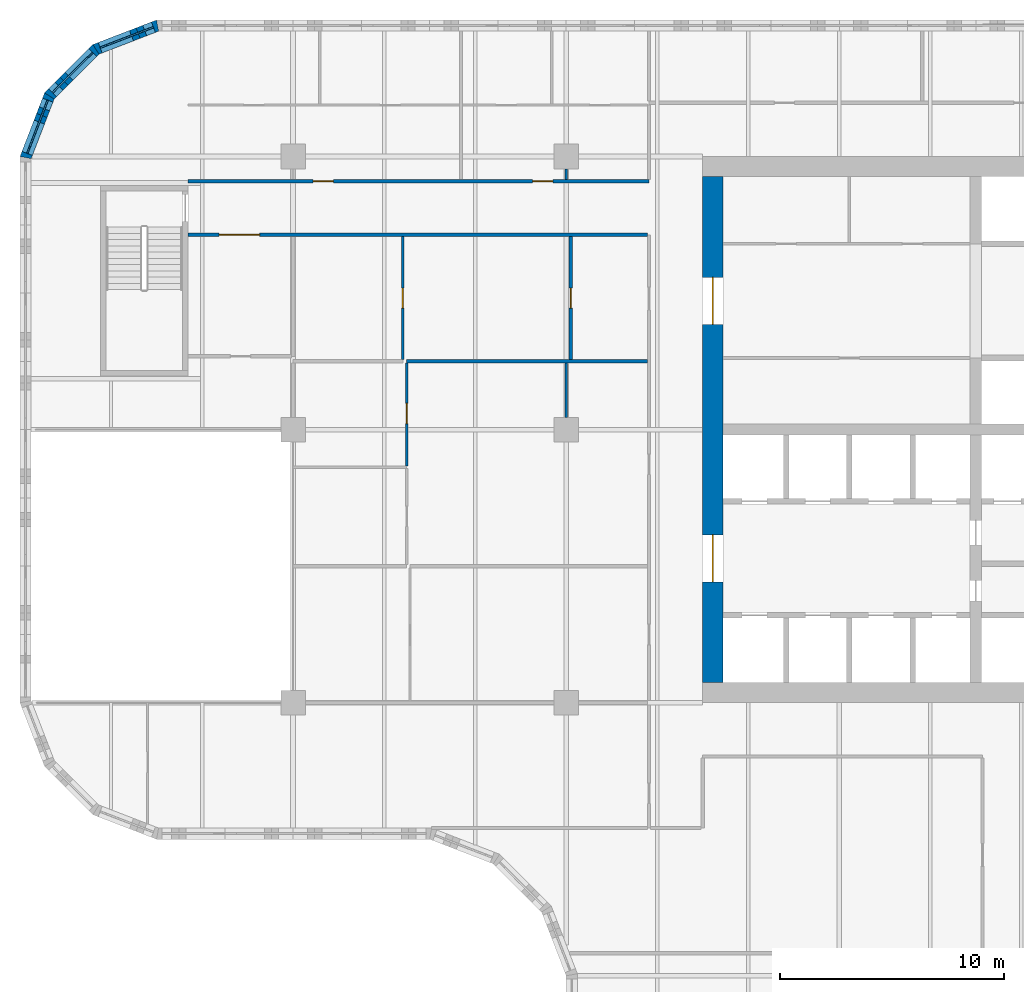
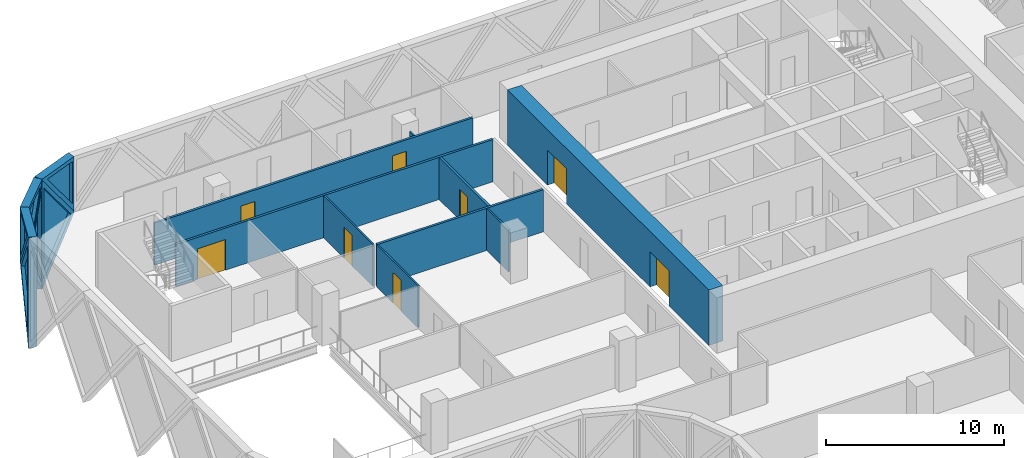
# One storey, part 10 of 24: 15 walls, 8 doors, 6 plates, 14 openings.
"""IFC4 building model written with IfcOpenShell, lengths in metres."""

from ifc_helpers import new_model, si_unit, direction, frame, frame_2d, origin, place, context, subcontext, project, spatial, polyline, rectangle, outline, extrude, faceted_brep, source, transform, mapped, material, layer, layer_set, type_object, element, fill, save


model = new_model("IFC4")

# Units and contexts
model_context = context("Model", 3, precision=1e-05, world=origin(), true_north=direction((0.0, 1.0)))
body_context = subcontext(model_context, "Body", "Model", "MODEL_VIEW")
ifc_project = project(units=[si_unit("LENGTHUNIT", "METRE"), si_unit("AREAUNIT", "SQUARE_METRE"), si_unit("VOLUMEUNIT", "CUBIC_METRE"), si_unit("PLANEANGLEUNIT", "RADIAN"), si_unit("MASSUNIT", "GRAM", prefix="KILO")], contexts=[model_context])

# Site, building, storey
site_placement = place(None, origin())
site = spatial("IfcSite", under=ifc_project, at=site_placement, CompositionType="ELEMENT")
building_placement = place(site_placement, origin())
building = spatial("IfcBuilding", under=site, at=building_placement, Name="Tessera Gate Towers", CompositionType="ELEMENT")
storey_placement = place(building_placement, frame((0.0, 0.0, 60.0)))
storey = spatial("IfcBuildingStorey", under=building, at=storey_placement, Name="L14", CompositionType="ELEMENT", Elevation=60.0)

# Wall, openings, doors
ifc_material_1 = material(Name="Concrete C70/85", Category="concrete")
ifc_layer_1 = layer(ifc_material_1, 0.89990234375)
ifc_layer_set_1 = layer_set([ifc_layer_1], Name="CORE SHEAR WALL 900 C70/85")
wall_type_1 = type_object("IfcWallType", Name="CORE SHEAR WALL 900 C70/85", PredefinedType="SHEAR", material=ifc_layer_set_1)
wall_1_placement = place(storey_placement, frame((30.949951171875, 25.300048828125, 0.0), z_axis=(0.0, 0.0, 1.0), x_axis=(0.0, 1.0, 0.0)))
wall_1 = element("IfcWall", 1, at=wall_1_placement, inside=storey, type_object=wall_type_1, Name="Core wall W L14", PredefinedType="SHEAR", context=body_context, shape_type="SweptSolid", body=[
    extrude(rectangle(XDim=22.599853515625, YDim=0.89990234375, at=frame_2d((11.2998046875, 0.0))), origin(), (0.0, 0.0, 1.0), 3.800048828125),
])
shared_shape_1 = source(origin(), body_context, "Body", "SweptSolid", [
    extrude(rectangle(XDim=2.10009765625, YDim=2.39990234375, at=frame_2d((1.050048828125, 1.199951171875))), frame((0.0, 0.4599609375, 0.0), z_axis=(0.0, -1.0, 0.0), x_axis=(1.0, 0.0, 0.0)), (0.0, 0.0, 1.0), 0.919921875),
])
opening_1_placement = place(wall_1_placement, frame((4.5, 0.0, 0.0)))
opening_1 = element("IfcOpeningElement", 2, at=opening_1_placement, cuts=wall_1, Name="Opening DD-T1-10-02", PredefinedType="OPENING", context=body_context, shape_type="MappedRepresentation", body=[
    mapped(shared_shape_1, transform((0.0, 0.0, 0.0), scale=1.0)),
])
opening_2_placement = place(wall_1_placement, frame((16.0, 0.0, 0.0)))
opening_2 = element("IfcOpeningElement", 3, at=opening_2_placement, cuts=wall_1, Name="Opening DD-T1-10-03", PredefinedType="OPENING", context=body_context, shape_type="MappedRepresentation", body=[
    mapped(shared_shape_1, transform((0.0, 0.0, 0.0), scale=1.0)),
])
ifc_material_2 = material(Name="Hollow steel fire door", Category="steel")
door_type_1 = type_object("IfcDoorType", Name="CORE DOOR DD 2100x2400", OperationType="NOTDEFINED", PredefinedType="DOOR", material=ifc_material_2)
shared_shape_2 = source(origin(), body_context, "Body", "SweptSolid", [
    extrude(rectangle(XDim=2.10009765625, YDim=2.39990234375, at=frame_2d((1.050048828125, 1.199951171875))), frame((0.0, 0.02490234375, 0.0), z_axis=(0.0, -1.0, 0.0), x_axis=(1.0, 0.0, 0.0)), (0.0, 0.0, 1.0), 0.050048828125),
])
door_1_placement = place(opening_1_placement, origin())
door_1 = element("IfcDoor", 4, at=door_1_placement, inside=storey, type_object=door_type_1, Name="Core entrance door", OperationType="DOUBLE_DOOR_SINGLE_SWING", OverallHeight=2.39990234375, OverallWidth=2.10009765625, PredefinedType="DOOR", context=body_context, shape_type="MappedRepresentation", body=[
    mapped(shared_shape_2, transform((0.0, 0.0, 0.0), scale=1.0)),
])
fill(opening_1, door_1)
door_2_placement = place(opening_2_placement, origin())
door_2 = element("IfcDoor", 5, at=door_2_placement, inside=storey, type_object=door_type_1, Name="Core entrance door", OperationType="DOUBLE_DOOR_SINGLE_SWING", OverallHeight=2.39990234375, OverallWidth=2.10009765625, PredefinedType="DOOR", context=body_context, shape_type="MappedRepresentation", body=[
    mapped(shared_shape_2, transform((0.0, 0.0, 0.0), scale=1.0)),
])
fill(opening_2, door_2)

# Wall, opening, door
ifc_material_3 = material(Name="Gypsum board on steel studs, mineral wool", Category="steel")
ifc_layer_2 = layer(ifc_material_3, 0.14990234375)
ifc_layer_set_2 = layer_set([ifc_layer_2], Name="CORRIDOR WALL 150")
wall_type_2 = type_object("IfcWallType", Name="CORRIDOR WALL 150", PredefinedType="PARTITIONING", material=ifc_layer_set_2)
wall_2_placement = place(storey_placement, frame((28.02392578125, 45.300048828125, 0.0), z_axis=(0.0, 0.0, 1.0), x_axis=(-1.0, 0.0, 0.0)))
wall_2 = element("IfcWall", 6, at=wall_2_placement, inside=storey, type_object=wall_type_2, Name="T1-L14-PW-037", PredefinedType="PARTITIONING", context=body_context, shape_type="SweptSolid", body=[
    extrude(rectangle(XDim=20.52392578125, YDim=0.14990234375, at=frame_2d((10.261962890625, 0.0))), origin(), (0.0, 0.0, 1.0), 2.887939453125),
])
shared_shape_3 = source(origin(), body_context, "Body", "SweptSolid", [
    extrude(rectangle(XDim=1.800048828125, YDim=2.10009765625, at=frame_2d((0.89990234375, 1.050048828125))), frame((0.0, 0.0849609375, 0.0), z_axis=(0.0, -1.0, 0.0), x_axis=(1.0, 0.0, 0.0)), (0.0, 0.0, 1.0), 0.169921875),
])
opening_3_placement = place(wall_2_placement, frame((17.323974609375, 0.0, 0.0)))
opening_3 = element("IfcOpeningElement", 7, at=opening_3_placement, cuts=wall_2, Name="Opening D2180FD60-A05-01", PredefinedType="OPENING", context=body_context, shape_type="MappedRepresentation", body=[
    mapped(shared_shape_3, transform((0.0, 0.0, 0.0), scale=1.0)),
])
ifc_material_4 = material(Name="Timber door leaf in steel frame", Category="steel")
door_type_2 = type_object("IfcDoorType", Name="TENANCY ENTRANCE DOUBLE DOOR 1800 FD60", OperationType="NOTDEFINED", PredefinedType="DOOR", material=ifc_material_4)
shared_shape_4 = source(origin(), body_context, "Body", "SweptSolid", [
    extrude(rectangle(XDim=1.800048828125, YDim=2.10009765625, at=frame_2d((0.89990234375, 1.050048828125))), frame((0.0, 0.02490234375, 0.0), z_axis=(0.0, -1.0, 0.0), x_axis=(1.0, 0.0, 0.0)), (0.0, 0.0, 1.0), 0.050048828125),
])
door_3_placement = place(opening_3_placement, origin())
door_3 = element("IfcDoor", 8, at=door_3_placement, inside=storey, type_object=door_type_2, Name="T1-L14-PD-007", OperationType="DOUBLE_DOOR_SINGLE_SWING", OverallHeight=2.10009765625, OverallWidth=1.800048828125, PredefinedType="DOOR", context=body_context, shape_type="MappedRepresentation", body=[
    mapped(shared_shape_4, transform((0.0, 0.0, 0.0), scale=1.0)),
])
fill(opening_3, door_3)

# Wall, openings, doors
wall_3_placement = place(storey_placement, frame((7.5, 47.699951171875, 0.0), z_axis=(0.0, 0.0, 1.0), x_axis=(1.0, 0.0, 0.0)))
wall_3 = element("IfcWall", 9, at=wall_3_placement, inside=storey, type_object=wall_type_2, Name="T1-L14-PW-038", PredefinedType="PARTITIONING", context=body_context, shape_type="SweptSolid", body=[
    extrude(rectangle(XDim=20.60009765625, YDim=0.14990234375, at=frame_2d((10.300048828125, 0.0))), origin(), (0.0, 0.0, 1.0), 2.887939453125),
])
shared_shape_5 = source(origin(), body_context, "Body", "SweptSolid", [
    extrude(rectangle(XDim=0.89990234375, YDim=2.10009765625, at=frame_2d((0.449951171875, 1.050048828125))), frame((0.0, 0.0849609375, 0.0), z_axis=(0.0, -1.0, 0.0), x_axis=(1.0, 0.0, 0.0)), (0.0, 0.0, 1.0), 0.169921875),
])
opening_4_placement = place(wall_3_placement, frame((15.40087890625, 0.0, 0.0)))
opening_4 = element("IfcOpeningElement", 10, at=opening_4_placement, cuts=wall_3, Name="Opening D890FD60-A05-03", PredefinedType="OPENING", context=body_context, shape_type="MappedRepresentation", body=[
    mapped(shared_shape_5, transform((0.0, 0.0, 0.0), scale=1.0)),
])
opening_5_placement = place(wall_3_placement, frame((5.60009765625, 0.0, 0.0)))
opening_5 = element("IfcOpeningElement", 11, at=opening_5_placement, cuts=wall_3, Name="Opening D890FD60-A05-10", PredefinedType="OPENING", context=body_context, shape_type="MappedRepresentation", body=[
    mapped(shared_shape_5, transform((0.0, 0.0, 0.0), scale=1.0)),
])
ifc_material_5 = material(Name="Timber door leaf in steel frame", Category="steel")
door_type_3 = type_object("IfcDoorType", Name="CORRIDOR DOOR 900 FD60", OperationType="NOTDEFINED", PredefinedType="DOOR", material=ifc_material_5)
shared_shape_6 = source(origin(), body_context, "Body", "SweptSolid", [
    extrude(rectangle(XDim=0.89990234375, YDim=2.10009765625, at=frame_2d((0.449951171875, 1.050048828125))), frame((0.0, 0.02490234375, 0.0), z_axis=(0.0, -1.0, 0.0), x_axis=(1.0, 0.0, 0.0)), (0.0, 0.0, 1.0), 0.050048828125),
])
door_4_placement = place(opening_4_placement, origin())
door_4 = element("IfcDoor", 12, at=door_4_placement, inside=storey, type_object=door_type_3, Name="T1-L14-PD-020", OperationType="SINGLE_SWING_RIGHT", OverallHeight=2.10009765625, OverallWidth=0.89990234375, PredefinedType="DOOR", context=body_context, shape_type="MappedRepresentation", body=[
    mapped(shared_shape_6, transform((0.0, 0.0, 0.0), scale=1.0)),
])
fill(opening_4, door_4)
door_5_placement = place(opening_5_placement, origin())
door_5 = element("IfcDoor", 13, at=door_5_placement, inside=storey, type_object=door_type_3, Name="T1-L14-PD-029", OperationType="SINGLE_SWING_LEFT", OverallHeight=2.10009765625, OverallWidth=0.89990234375, PredefinedType="DOOR", context=body_context, shape_type="MappedRepresentation", body=[
    mapped(shared_shape_6, transform((0.0, 0.0, 0.0), scale=1.0)),
])
fill(opening_5, door_5)

# Wall, opening, door
ifc_material_6 = material(Name="Gypsum board on steel studs", Category="steel")
ifc_layer_3 = layer(ifc_material_6, 0.10009765625)
ifc_layer_set_3 = layer_set([ifc_layer_3], Name="PARTITION 100")
wall_type_3 = type_object("IfcWallType", Name="PARTITION 100", PredefinedType="PARTITIONING", material=ifc_layer_set_3)
wall_4_placement = place(storey_placement, frame((17.27490234375, 34.97119140625, 0.0), z_axis=(0.0, 0.0, 1.0), x_axis=(0.0, 1.0, 0.0)))
wall_4 = element("IfcWall", 14, at=wall_4_placement, inside=storey, type_object=wall_type_3, Name="T1-L14-PW-028", PredefinedType="PARTITIONING", context=body_context, shape_type="SweptSolid", body=[
    extrude(rectangle(XDim=4.602783203125, YDim=0.10009765625, at=frame_2d((2.30126953125, 0.0))), origin(), (0.0, 0.0, 1.0), 2.887939453125),
])
shared_shape_7 = source(origin(), body_context, "Body", "SweptSolid", [
    extrude(rectangle(XDim=0.89990234375, YDim=2.10009765625, at=frame_2d((0.449951171875, 1.050048828125))), frame((0.0, 0.06005859375, 0.0), z_axis=(0.0, -1.0, 0.0), x_axis=(1.0, 0.0, 0.0)), (0.0, 0.0, 1.0), 0.1201171875),
])
opening_6_placement = place(wall_4_placement, frame((1.89990234375, 0.0, 0.0)))
opening_6 = element("IfcOpeningElement", 15, at=opening_6_placement, cuts=wall_4, Name="Opening D190-A05-04", PredefinedType="OPENING", context=body_context, shape_type="MappedRepresentation", body=[
    mapped(shared_shape_7, transform((0.0, 0.0, 0.0), scale=1.0)),
])
ifc_material_7 = material(Name="Timber door leaf in steel frame", Category="steel")
door_type_4 = type_object("IfcDoorType", Name="INTERNAL DOOR 900 NOT RATED", OperationType="NOTDEFINED", PredefinedType="DOOR", material=ifc_material_7)
door_6_placement = place(opening_6_placement, origin())
door_6 = element("IfcDoor", 16, at=door_6_placement, inside=storey, type_object=door_type_4, Name="T1-L14-PD-005", OperationType="SINGLE_SWING_LEFT", OverallHeight=2.10009765625, OverallWidth=0.89990234375, PredefinedType="DOOR", context=body_context, shape_type="MappedRepresentation", body=[
    mapped(shared_shape_6, transform((0.0, 0.0, 0.0), scale=1.0)),
])
fill(opening_6, door_6)

# Wall
wall_5_placement = place(storey_placement, frame((24.39990234375, 37.14990234375, 0.0), z_axis=(0.0, 0.0, 1.0), x_axis=(0.0, 1.0, 0.0)))
element("IfcWall", 17, at=wall_5_placement, inside=storey, type_object=wall_type_3, Name="T1-L14-PW-030", PredefinedType="PARTITIONING", context=body_context, shape_type="SweptSolid", body=[
    extrude(rectangle(XDim=2.425048828125, YDim=0.10009765625, at=frame_2d((1.21240234375, 0.0))), origin(), (0.0, 0.0, 1.0), 2.887939453125),
])

# Wall, opening, door
wall_6_placement = place(storey_placement, frame((17.10009765625, 39.72607421875, 0.0), z_axis=(0.0, 0.0, 1.0), x_axis=(0.0, 1.0, 0.0)))
wall_6 = element("IfcWall", 18, at=wall_6_placement, inside=storey, type_object=wall_type_3, Name="T1-L14-PW-033", PredefinedType="PARTITIONING", context=body_context, shape_type="SweptSolid", body=[
    extrude(rectangle(XDim=5.498046875, YDim=0.10009765625, at=frame_2d((2.7490234375, 0.0))), origin(), (0.0, 0.0, 1.0), 2.887939453125),
])
opening_7_placement = place(wall_6_placement, frame((2.300048828125, 0.0, 0.0)))
opening_7 = element("IfcOpeningElement", 19, at=opening_7_placement, cuts=wall_6, Name="Opening D190-A05-07", PredefinedType="OPENING", context=body_context, shape_type="MappedRepresentation", body=[
    mapped(shared_shape_7, transform((0.0, 0.0, 0.0), scale=1.0)),
])
door_7_placement = place(opening_7_placement, origin())
door_7 = element("IfcDoor", 20, at=door_7_placement, inside=storey, type_object=door_type_4, Name="T1-L14-PD-010", OperationType="SINGLE_SWING_LEFT", OverallHeight=2.10009765625, OverallWidth=0.89990234375, PredefinedType="DOOR", context=body_context, shape_type="MappedRepresentation", body=[
    mapped(shared_shape_6, transform((0.0, 0.0, 0.0), scale=1.0)),
])
fill(opening_7, door_7)

# Walls
wall_7_placement = place(storey_placement, frame((24.39990234375, 48.25, 0.0), z_axis=(0.0, 0.0, 1.0), x_axis=(0.0, -1.0, 0.0)))
element("IfcWall", 21, at=wall_7_placement, inside=storey, type_object=wall_type_3, Name="T1-L14-PW-042", PredefinedType="PARTITIONING", context=body_context, shape_type="SweptSolid", body=[
    extrude(rectangle(XDim=0.47509765625, YDim=0.10009765625, at=frame_2d((0.237548828125, 0.0))), origin(), (0.0, 0.0, 1.0), 2.887939453125),
])
ifc_material_8 = material(Name="Gypsum board on steel studs, mineral wool", Category="steel")
ifc_layer_4 = layer(ifc_material_8, 0.14990234375)
ifc_layer_set_4 = layer_set([ifc_layer_4], Name="TENANCY WALL 150")
wall_type_4 = type_object("IfcWallType", Name="TENANCY WALL 150", PredefinedType="PARTITIONING", material=ifc_layer_set_4)
wall_8_placement = place(storey_placement, frame((17.27490234375, 39.64990234375, 0.0), z_axis=(0.0, 0.0, 1.0), x_axis=(1.0, 0.0, 0.0)))
element("IfcWall", 22, at=wall_8_placement, inside=storey, type_object=wall_type_4, Name="T1-L14-PW-032", PredefinedType="PARTITIONING", context=body_context, shape_type="SweptSolid", body=[
    extrude(rectangle(XDim=10.7490234375, YDim=0.14990234375, at=frame_2d((5.37451171875, 0.0))), origin(), (0.0, 0.0, 1.0), 2.887939453125),
])

# Wall, opening, door
wall_9_placement = place(storey_placement, frame((24.60009765625, 39.72607421875, 0.0), z_axis=(0.0, 0.0, 1.0), x_axis=(0.0, 1.0, 0.0)))
wall_9 = element("IfcWall", 23, at=wall_9_placement, inside=storey, type_object=wall_type_4, Name="T1-L14-PW-034", PredefinedType="PARTITIONING", context=body_context, shape_type="SweptSolid", body=[
    extrude(rectangle(XDim=5.498046875, YDim=0.14990234375, at=frame_2d((2.7490234375, 0.0))), origin(), (0.0, 0.0, 1.0), 2.887939453125),
])
opening_8_placement = place(wall_9_placement, frame((2.300048828125, 0.0, 0.0)))
opening_8 = element("IfcOpeningElement", 24, at=opening_8_placement, cuts=wall_9, Name="Opening D190-A05-06", PredefinedType="OPENING", context=body_context, shape_type="MappedRepresentation", body=[
    mapped(shared_shape_5, transform((0.0, 0.0, 0.0), scale=1.0)),
])
door_8_placement = place(opening_8_placement, origin())
door_8 = element("IfcDoor", 25, at=door_8_placement, inside=storey, type_object=door_type_4, Name="T1-L14-PD-009", OperationType="SINGLE_SWING_LEFT", OverallHeight=2.10009765625, OverallWidth=0.89990234375, PredefinedType="DOOR", context=body_context, shape_type="MappedRepresentation", body=[
    mapped(shared_shape_6, transform((0.0, 0.0, 0.0), scale=1.0)),
])
fill(opening_8, door_8)

# Wall, opening, plate
ifc_material_9 = material(Name="Precast concrete C60/75 white", Category="concrete")
ifc_layer_5 = layer(ifc_material_9, 0.5)
ifc_layer_set_5 = layer_set([ifc_layer_5], Name="TS3 corner tessera")
wall_type_5 = type_object("IfcWallType", Name="TS3 corner tessera", PredefinedType="SOLIDWALL", material=ifc_layer_set_5)
shared_shape_8 = source(origin(), body_context, "Body", "Brep", [
    faceted_brep([(2.950439453125, -0.25, 0.0), (3.00341796875, -0.25, 0.068359375), (3.00341796875, -0.25, 7.53173828125), (2.950439453125, -0.25, 7.60009765625), (0.0, -0.25, 3.800048828125), (0.046630859375, 0.25, 3.860107421875), (2.897705078125, 0.25, 7.531982421875), (2.897705078125, 0.25, 0.068115234375), (0.046630859375, 0.25, 3.739990234375), (2.950439453125, 0.00048828125, 0.0), (2.950439453125, 0.00048828125, 7.60009765625), (0.0, 0.0, 3.800048828125)], [[[0, 1, 2, 3, 4]], [[5, 6, 7, 8]], [[1, 0, 9]], [[10, 3, 2]], [[6, 5, 11, 4, 3, 10]], [[8, 7, 9, 0, 4, 11]], [[8, 11, 5]], [[1, 9, 7, 6, 10, 2]]]),
])
wall_10_placement = place(storey_placement, frame((6.146484375, 54.64990234375, -3.800048828125), z_axis=(0.0, 0.0, 1.0), x_axis=(-0.932997369089, -0.359883188373, 0.0)))
wall_10 = element("IfcWall", 26, at=wall_10_placement, inside=storey, type_object=wall_type_5, Name="Precast corner tessera T1 TS3-0297", PredefinedType="SOLIDWALL", context=body_context, shape_type="MappedRepresentation", body=[
    mapped(shared_shape_8, transform((0.0, 0.0, 0.0), scale=1.0)),
])
shared_shape_9 = source(origin(), body_context, "Body", "SweptSolid", [
    extrude(outline(polyline([(2.75048828125, 6.934814453125), (0.31640625, 3.800048828125), (2.75048828125, 0.665283203125), (2.75048828125, 6.934814453125)])), frame((0.0, 0.260009765625, 0.0), z_axis=(0.0, -1.0, 0.0), x_axis=(1.0, 0.0, 0.0)), (0.0, 0.0, 1.0), 0.52001953125),
])
opening_9_placement = place(wall_10_placement, origin())
opening_9 = element("IfcOpeningElement", 27, at=opening_9_placement, cuts=wall_10, Name="Opening T1-PL2-0449", PredefinedType="OPENING", context=body_context, shape_type="MappedRepresentation", body=[
    mapped(shared_shape_9, transform((0.0, 0.0, 0.0), scale=1.0)),
])
ifc_material_10 = material(Name="Low-e laminated glass", Category="glass")
ifc_layer_6 = layer(ifc_material_10, 0.06005859375)
ifc_layer_set_6 = layer_set([ifc_layer_6], Name="PL2 rhombic pane")
plate_type_1 = type_object("IfcPlateType", Name="PL2 rhombic pane", PredefinedType="SHEET", material=ifc_layer_set_6)
shared_shape_10 = source(origin(), body_context, "Body", "SweptSolid", [
    extrude(outline(polyline([(2.75048828125, 6.934814453125), (0.31640625, 3.800048828125), (2.75048828125, 0.665283203125), (2.75048828125, 6.934814453125)])), frame((0.0, 0.030029296875, 0.0), z_axis=(0.0, -1.0, 0.0), x_axis=(1.0, 0.0, 0.0)), (0.0, 0.0, 1.0), 0.06005859375),
])
plate_1_placement = place(opening_9_placement, origin())
plate_1 = element("IfcPlate", 28, at=plate_1_placement, inside=storey, type_object=plate_type_1, Name="Glass pane T1 PL2-0449", PredefinedType="SHEET", context=body_context, shape_type="MappedRepresentation", body=[
    mapped(shared_shape_10, transform((0.0, 0.0, 0.0), scale=1.0)),
])
fill(opening_9, plate_1)

shared_shape_11 = source(origin(), body_context, "Body", "Brep", [
    faceted_brep([(0.052978515625, -0.25, 0.0), (2.9970703125, -0.25, 3.800048828125), (0.052978515625, -0.25, 7.60009765625), (0.0, -0.25, 7.531982421875), (0.0, -0.25, 0.068115234375), (0.10595703125, 0.25, 7.53173828125), (2.944091796875, 0.25, 3.8681640625), (2.944091796875, 0.25, 3.73193359375), (0.10595703125, 0.25, 0.068359375), (2.9970703125, 0.000244140625, 3.800048828125), (0.052978515625, 0.0, 0.0), (0.052978515625, 0.0, 7.60009765625)], [[[0, 1, 2, 3, 4]], [[5, 6, 7, 8]], [[8, 7, 9, 1, 0, 10]], [[6, 5, 11, 2, 1, 9]], [[3, 2, 11]], [[10, 0, 4]], [[8, 10, 4, 3, 11, 5]], [[9, 7, 6]]]),
])
wall_11_placement = place(storey_placement, frame((3.43115234375, 53.62548828125, -3.800048828125), z_axis=(0.0, 0.0, 1.0), x_axis=(-0.707106781187, -0.707106781187, 0.0)))
wall_11 = element("IfcWall", 29, at=wall_11_placement, inside=storey, type_object=wall_type_5, Name="Precast corner tessera T1 TS3-0298", PredefinedType="SOLIDWALL", context=body_context, shape_type="MappedRepresentation", body=[
    mapped(shared_shape_11, transform((0.0, 0.0, 0.0), scale=1.0)),
])
shared_shape_12 = source(origin(), body_context, "Body", "SweptSolid", [
    extrude(outline(polyline([(0.2529296875, 0.666259765625), (2.680908203125, 3.800048828125), (0.2529296875, 6.933837890625), (0.2529296875, 0.666259765625)])), frame((0.0, 0.260009765625, 0.0), z_axis=(0.0, -1.0, 0.0), x_axis=(1.0, 0.0, 0.0)), (0.0, 0.0, 1.0), 0.52001953125),
])
opening_10_placement = place(wall_11_placement, origin())
opening_10 = element("IfcOpeningElement", 30, at=opening_10_placement, cuts=wall_11, Name="Opening T1-PL2-0450", PredefinedType="OPENING", context=body_context, shape_type="MappedRepresentation", body=[
    mapped(shared_shape_12, transform((0.0, 0.0, 0.0), scale=1.0)),
])
shared_shape_13 = source(origin(), body_context, "Body", "SweptSolid", [
    extrude(outline(polyline([(0.2529296875, 0.666259765625), (2.680908203125, 3.800048828125), (0.2529296875, 6.933837890625), (0.2529296875, 0.666259765625)])), frame((0.0, 0.030029296875, 0.0), z_axis=(0.0, -1.0, 0.0), x_axis=(1.0, 0.0, 0.0)), (0.0, 0.0, 1.0), 0.06005859375),
])
plate_2_placement = place(opening_10_placement, origin())
plate_2 = element("IfcPlate", 31, at=plate_2_placement, inside=storey, type_object=plate_type_1, Name="Glass pane T1 PL2-0450", PredefinedType="SHEET", context=body_context, shape_type="MappedRepresentation", body=[
    mapped(shared_shape_13, transform((0.0, 0.0, 0.0), scale=1.0)),
])
fill(opening_10, plate_2)

shared_shape_14 = source(origin(), body_context, "Body", "Brep", [
    faceted_brep([(2.950439453125, -0.25, 0.0), (2.9970703125, -0.25, 0.05908203125), (2.9970703125, -0.25, 7.541015625), (2.950439453125, -0.25, 7.60009765625), (0.0, -0.25, 3.800048828125), (0.052978515625, 0.25, 3.8681640625), (2.904052734375, 0.25, 7.540283203125), (2.904052734375, 0.25, 0.059814453125), (0.052978515625, 0.25, 3.73193359375), (2.950439453125, 0.00048828125, 0.0), (2.950439453125, 0.00048828125, 7.60009765625), (0.0, 0.0, 3.800048828125)], [[[0, 1, 2, 3, 4]], [[5, 6, 7, 8]], [[1, 0, 9]], [[10, 3, 2]], [[6, 5, 11, 4, 3, 10]], [[8, 7, 9, 0, 4, 11]], [[8, 11, 5]], [[1, 9, 7, 6, 10, 2]]]),
])
wall_12_placement = place(storey_placement, frame((1.31201171875, 51.50634765625, -3.800048828125), z_axis=(0.0, 0.0, 1.0), x_axis=(-0.359944998003, -0.932973525033, 0.0)))
wall_12 = element("IfcWall", 32, at=wall_12_placement, inside=storey, type_object=wall_type_5, Name="Precast corner tessera T1 TS3-0299", PredefinedType="SOLIDWALL", context=body_context, shape_type="MappedRepresentation", body=[
    mapped(shared_shape_14, transform((0.0, 0.0, 0.0), scale=1.0)),
])
opening_11_placement = place(wall_12_placement, origin())
opening_11 = element("IfcOpeningElement", 33, at=opening_11_placement, cuts=wall_12, Name="Opening T1-PL2-0451", PredefinedType="OPENING", context=body_context, shape_type="MappedRepresentation", body=[
    mapped(shared_shape_9, transform((0.0, 0.0, 0.0), scale=1.0)),
])
plate_3_placement = place(opening_11_placement, origin())
plate_3 = element("IfcPlate", 34, at=plate_3_placement, inside=storey, type_object=plate_type_1, Name="Glass pane T1 PL2-0451", PredefinedType="SHEET", context=body_context, shape_type="MappedRepresentation", body=[
    mapped(shared_shape_10, transform((0.0, 0.0, 0.0), scale=1.0)),
])
fill(opening_11, plate_3)

shared_shape_15 = source(origin(), body_context, "Body", "Brep", [
    faceted_brep([(0.046630859375, -0.25, 0.0), (2.9970703125, -0.25, 3.800048828125), (0.0, -0.25, 3.800048828125), (0.0, -0.25, 0.058837890625), (0.09326171875, 0.25, 3.800048828125), (2.9443359375, 0.25, 3.800048828125), (2.9443359375, 0.25, 3.73193359375), (0.09326171875, 0.25, 0.06005859375), (2.9970703125, 0.00048828125, 3.800048828125), (0.046630859375, 0.0, 0.0)], [[[0, 1, 2, 3]], [[4, 5, 6, 7]], [[7, 6, 8, 1, 0, 9]], [[5, 4, 2, 1, 8]], [[9, 0, 3]], [[7, 9, 3, 2, 4]], [[6, 5, 8]]]),
])
wall_13_placement = place(storey_placement, frame((6.18994140625, 54.666748046875, 0.0), z_axis=(0.0, 0.0, 1.0), x_axis=(-0.932990326376, -0.359901446078, 0.0)))
wall_13 = element("IfcWall", 35, at=wall_13_placement, inside=storey, type_object=wall_type_5, Name="Precast corner tessera T1 TS3-0324", PredefinedType="SOLIDWALL", context=body_context, shape_type="MappedRepresentation", body=[
    mapped(shared_shape_15, transform((0.0, 0.0, 0.0), scale=1.0)),
])
shared_shape_16 = source(origin(), body_context, "Body", "SweptSolid", [
    extrude(outline(polyline([(0.24658203125, 0.665283203125), (2.486572265625, 3.550048828125), (0.24658203125, 3.550048828125), (0.24658203125, 0.665283203125)])), frame((0.0, 0.260009765625, 0.0), z_axis=(0.0, -1.0, 0.0), x_axis=(1.0, 0.0, 0.0)), (0.0, 0.0, 1.0), 0.52001953125),
])
opening_12_placement = place(wall_13_placement, origin())
opening_12 = element("IfcOpeningElement", 36, at=opening_12_placement, cuts=wall_13, Name="Opening T1-PL1-0169", PredefinedType="OPENING", context=body_context, shape_type="MappedRepresentation", body=[
    mapped(shared_shape_16, transform((0.0, 0.0, 0.0), scale=1.0)),
])
ifc_material_11 = material(Name="Low-e laminated glass", Category="glass")
ifc_layer_7 = layer(ifc_material_11, 0.06005859375)
ifc_layer_set_7 = layer_set([ifc_layer_7], Name="PL1 triangular pane")
plate_type_2 = type_object("IfcPlateType", Name="PL1 triangular pane", PredefinedType="SHEET", material=ifc_layer_set_7)
shared_shape_17 = source(origin(), body_context, "Body", "SweptSolid", [
    extrude(outline(polyline([(0.24658203125, 0.665283203125), (2.486572265625, 3.550048828125), (0.24658203125, 3.550048828125), (0.24658203125, 0.665283203125)])), frame((0.0, 0.030029296875, 0.0), z_axis=(0.0, -1.0, 0.0), x_axis=(1.0, 0.0, 0.0)), (0.0, 0.0, 1.0), 0.06005859375),
])
plate_4_placement = place(opening_12_placement, origin())
plate_4 = element("IfcPlate", 37, at=plate_4_placement, inside=storey, type_object=plate_type_2, Name="Glass pane T1 PL1-0169", PredefinedType="SHEET", context=body_context, shape_type="MappedRepresentation", body=[
    mapped(shared_shape_17, transform((0.0, 0.0, 0.0), scale=1.0)),
])
fill(opening_12, plate_4)

shared_shape_18 = source(origin(), body_context, "Body", "Brep", [
    faceted_brep([(0.052978515625, -0.25, 0.0), (3.00341796875, -0.25, 3.800048828125), (0.0, -0.25, 3.800048828125), (0.0, -0.25, 0.068359375), (0.10595703125, 0.25, 3.800048828125), (2.95703125, 0.25, 3.800048828125), (2.95703125, 0.25, 3.740234375), (0.10595703125, 0.25, 0.068115234375), (3.00341796875, 0.00048828125, 3.800048828125), (0.052978515625, 0.0, 0.0)], [[[0, 1, 2, 3]], [[4, 5, 6, 7]], [[7, 6, 8, 1, 0, 9]], [[5, 4, 2, 1, 8]], [[9, 0, 3]], [[7, 9, 3, 2, 4]], [[6, 5, 8]]]),
])
wall_14_placement = place(storey_placement, frame((1.3310546875, 51.5556640625, 0.0), z_axis=(0.0, 0.0, 1.0), x_axis=(-0.35992665181, -0.932980602862, 0.0)))
wall_14 = element("IfcWall", 38, at=wall_14_placement, inside=storey, type_object=wall_type_5, Name="Precast corner tessera T1 TS3-0326", PredefinedType="SOLIDWALL", context=body_context, shape_type="MappedRepresentation", body=[
    mapped(shared_shape_18, transform((0.0, 0.0, 0.0), scale=1.0)),
])
shared_shape_19 = source(origin(), body_context, "Body", "SweptSolid", [
    extrude(outline(polyline([(0.2529296875, 0.665283203125), (2.492919921875, 3.550048828125), (0.2529296875, 3.550048828125), (0.2529296875, 0.665283203125)])), frame((0.0, 0.260009765625, 0.0), z_axis=(0.0, -1.0, 0.0), x_axis=(1.0, 0.0, 0.0)), (0.0, 0.0, 1.0), 0.52001953125),
])
opening_13_placement = place(wall_14_placement, origin())
opening_13 = element("IfcOpeningElement", 39, at=opening_13_placement, cuts=wall_14, Name="Opening T1-PL1-0171", PredefinedType="OPENING", context=body_context, shape_type="MappedRepresentation", body=[
    mapped(shared_shape_19, transform((0.0, 0.0, 0.0), scale=1.0)),
])
shared_shape_20 = source(origin(), body_context, "Body", "SweptSolid", [
    extrude(outline(polyline([(0.2529296875, 0.665283203125), (2.492919921875, 3.550048828125), (0.2529296875, 3.550048828125), (0.2529296875, 0.665283203125)])), frame((0.0, 0.030029296875, 0.0), z_axis=(0.0, -1.0, 0.0), x_axis=(1.0, 0.0, 0.0)), (0.0, 0.0, 1.0), 0.06005859375),
])
plate_5_placement = place(opening_13_placement, origin())
plate_5 = element("IfcPlate", 40, at=plate_5_placement, inside=storey, type_object=plate_type_2, Name="Glass pane T1 PL1-0171", PredefinedType="SHEET", context=body_context, shape_type="MappedRepresentation", body=[
    mapped(shared_shape_20, transform((0.0, 0.0, 0.0), scale=1.0)),
])
fill(opening_13, plate_5)

shared_shape_21 = source(origin(), body_context, "Body", "Brep", [
    faceted_brep([(2.944091796875, -0.25, 0.0), (2.9970703125, -0.25, 0.068115234375), (2.9970703125, -0.25, 3.800048828125), (0.0, -0.25, 3.800048828125), (0.052978515625, 0.25, 3.800048828125), (2.89111328125, 0.25, 3.800048828125), (2.89111328125, 0.25, 0.068115234375), (0.052978515625, 0.25, 3.731689453125), (2.944091796875, 0.000244140625, 0.0), (0.0, 0.0, 3.800048828125)], [[[0, 1, 2, 3]], [[4, 5, 6, 7]], [[1, 0, 8]], [[5, 4, 9, 3, 2]], [[7, 6, 8, 0, 3, 9]], [[7, 9, 4]], [[1, 8, 6, 5, 2]]]),
])
wall_15_placement = place(storey_placement, frame((3.393798828125, 53.588134765625, 0.0), z_axis=(0.0, 0.0, 1.0), x_axis=(-0.707106781187, -0.707106781187, 0.0)))
wall_15 = element("IfcWall", 41, at=wall_15_placement, inside=storey, type_object=wall_type_5, Name="Precast corner tessera T1 TS3-0325", PredefinedType="SOLIDWALL", context=body_context, shape_type="MappedRepresentation", body=[
    mapped(shared_shape_21, transform((0.0, 0.0, 0.0), scale=1.0)),
])
shared_shape_22 = source(origin(), body_context, "Body", "SweptSolid", [
    extrude(outline(polyline([(2.744140625, 3.550048828125), (0.510009765625, 3.550048828125), (2.744140625, 0.666259765625), (2.744140625, 3.550048828125)])), frame((0.0, 0.260009765625, 0.0), z_axis=(0.0, -1.0, 0.0), x_axis=(1.0, 0.0, 0.0)), (0.0, 0.0, 1.0), 0.52001953125),
])
opening_14_placement = place(wall_15_placement, origin())
opening_14 = element("IfcOpeningElement", 42, at=opening_14_placement, cuts=wall_15, Name="Opening T1-PL1-0170", PredefinedType="OPENING", context=body_context, shape_type="MappedRepresentation", body=[
    mapped(shared_shape_22, transform((0.0, 0.0, 0.0), scale=1.0)),
])
shared_shape_23 = source(origin(), body_context, "Body", "SweptSolid", [
    extrude(outline(polyline([(2.744140625, 3.550048828125), (0.510009765625, 3.550048828125), (2.744140625, 0.666259765625), (2.744140625, 3.550048828125)])), frame((0.0, 0.030029296875, 0.0), z_axis=(0.0, -1.0, 0.0), x_axis=(1.0, 0.0, 0.0)), (0.0, 0.0, 1.0), 0.06005859375),
])
plate_6_placement = place(opening_14_placement, origin())
plate_6 = element("IfcPlate", 43, at=plate_6_placement, inside=storey, type_object=plate_type_2, Name="Glass pane T1 PL1-0170", PredefinedType="SHEET", context=body_context, shape_type="MappedRepresentation", body=[
    mapped(shared_shape_23, transform((0.0, 0.0, 0.0), scale=1.0)),
])
fill(opening_14, plate_6)

save(model, "model.ifc")
